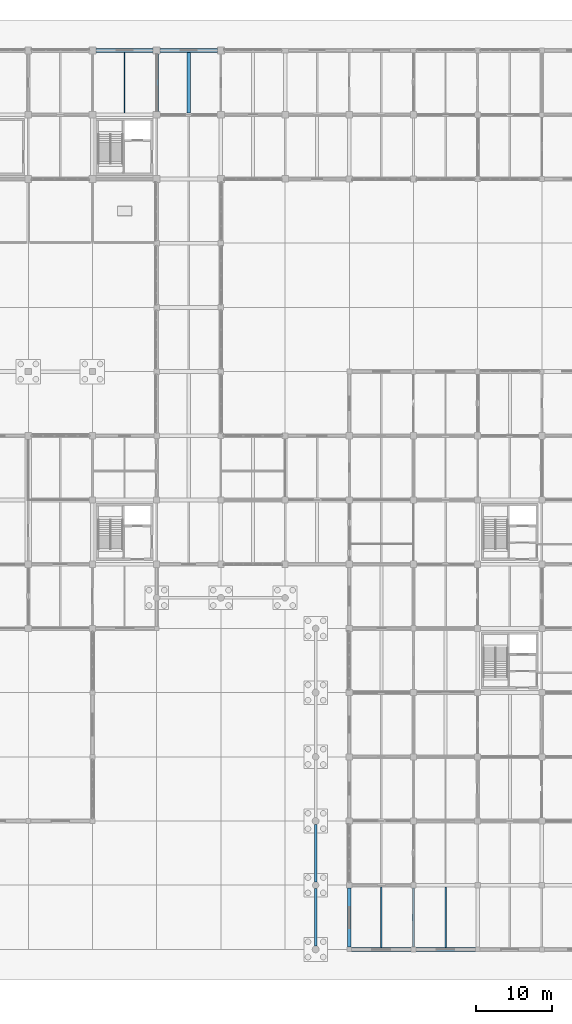
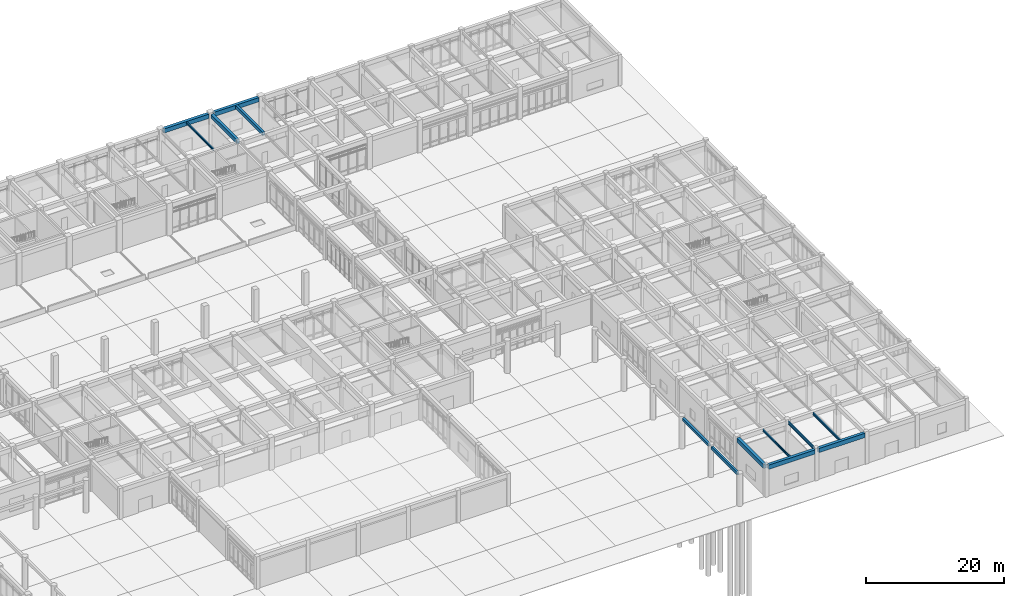
# One storey, part 32 of 91: 13 beams.
"""IFC4 building model written with IfcOpenShell, lengths in metres."""

from ifc_helpers import new_model, si_unit, direction, frame, origin, origin_2d, place, context, subcontext, project, spatial, rectangle, i_section, extrude, material, material_profile, profile_set, type_object, element, save


model = new_model("IFC4")

# Units and contexts
model_context = context("Model", 3, precision=1e-05, world=origin(), true_north=direction((0.0, 1.0)))
body_context = subcontext(model_context, "Body", "Model", "MODEL_VIEW")
ifc_project = project(units=[si_unit("LENGTHUNIT", "METRE"), si_unit("AREAUNIT", "SQUARE_METRE"), si_unit("VOLUMEUNIT", "CUBIC_METRE"), si_unit("PLANEANGLEUNIT", "RADIAN"), si_unit("MASSUNIT", "GRAM", prefix="KILO")], contexts=[model_context])

# Site, building, storey
site_placement = place(None, origin())
site = spatial("IfcSite", under=ifc_project, at=site_placement, CompositionType="ELEMENT")
building_placement = place(site_placement, origin())
building = spatial("IfcBuilding", under=site, at=building_placement, Name="Porcellanite Civic Hall", CompositionType="ELEMENT")
storey_placement = place(building_placement, origin())
storey = spatial("IfcBuildingStorey", under=building, at=storey_placement, Name="L00", CompositionType="ELEMENT", Elevation=0.0)

# Beams
ifc_material_1 = material(Name="Concrete N50 (50 MPa)", Category="concrete")
ifc_material_profile_1 = material_profile(ifc_material_1, rectangle(XDim=0.39990234375, YDim=0.60009765625, at=origin_2d()), Name="RC-400x600")
ifc_profile_set_1 = profile_set([ifc_material_profile_1], Name="Concrete N50 (50 MPa)")
beam_type_1 = type_object("IfcBeamType", Name="BM-RC600", PredefinedType="JOIST", material=ifc_profile_set_1)
beam_1_placement = place(storey_placement, frame((121.800048828125, 109.449462890625, 5.199951171875), z_axis=(0.0, 1.0, 0.0), x_axis=(-1.0, 0.0, 0.0)))
element("IfcBeam", 1, at=beam_1_placement, inside=storey, type_object=beam_type_1, Name="Secondary joist L00 15-14", PredefinedType="JOIST", context=body_context, shape_type="SweptSolid", body=[
    extrude(rectangle(XDim=0.39990234375, YDim=0.60009765625, at=origin_2d()), origin(), (0.0, 0.0, 1.0), 7.901123046875),
])
ifc_material_2 = material(Name="Concrete N50 (50 MPa)", Category="concrete")
ifc_material_profile_2 = material_profile(ifc_material_2, rectangle(XDim=0.449951171875, YDim=0.699951171875, at=origin_2d()), Name="RC-450x700")
ifc_profile_set_2 = profile_set([ifc_material_profile_2], Name="Concrete N50 (50 MPa)")
beam_type_2 = type_object("IfcBeamType", Name="BM-RC700", PredefinedType="BEAM", material=ifc_profile_set_2)
beam_2_placement = place(storey_placement, frame((117.60009765625, 109.6494140625, 5.14990234375), z_axis=(0.0, 1.0, 0.0), x_axis=(-1.0, 0.0, 0.0)))
element("IfcBeam", 2, at=beam_2_placement, inside=storey, type_object=beam_type_2, Name="Beam Y L00 15-14", PredefinedType="BEAM", context=body_context, shape_type="SweptSolid", body=[
    extrude(rectangle(XDim=0.449951171875, YDim=0.699951171875, at=origin_2d()), origin(), (0.0, 0.0, 1.0), 7.5009765625),
])
ifc_material_3 = material(Name="Concrete N50 (50 MPa)", Category="concrete")
ifc_material_profile_3 = material_profile(ifc_material_3, rectangle(XDim=0.5, YDim=0.75, at=origin_2d()), Name="RC-500x750")
ifc_profile_set_3 = profile_set([ifc_material_profile_3], Name="Concrete N50 (50 MPa)")
beam_type_3 = type_object("IfcBeamType", Name="BM-RC750", PredefinedType="SPANDREL", material=ifc_profile_set_3)
for number, where, z_axis, x_axis, name in (
    (3, (109.6494140625, 117.60009765625, 5.125), (1.0, 0.0, 0.0), (0.0, 1.0, 0.0), "Beam X L00 14-15"),
    (4, (118.049560546875, 117.60009765625, 5.125), (1.0, 0.0, 0.0), (0.0, 1.0, 0.0), "Beam X L00 15-15"),
):
    element("IfcBeam", number, at=place(storey_placement, frame(where, z_axis=z_axis, x_axis=x_axis)), inside=storey, type_object=beam_type_3, Name=name, PredefinedType="SPANDREL", context=body_context, shape_type="SweptSolid", body=[
        extrude(rectangle(XDim=0.5, YDim=0.75, at=origin_2d()), origin(), (0.0, 0.0, 1.0), 7.5009765625),
    ])
beam_3_placement = place(storey_placement, frame((143.099609375, 0.0, 5.125), z_axis=(1.0, 0.0, 0.0), x_axis=(0.0, 1.0, 0.0)))
element("IfcBeam", 5, at=beam_3_placement, inside=storey, type_object=beam_type_3, Name="Beam X L00 18-1", PredefinedType="SPANDREL", context=body_context, shape_type="SweptSolid", body=[
    extrude(rectangle(XDim=0.5, YDim=0.75, at=origin_2d()), origin(), (0.0, 0.0, 1.0), 7.77587890625),
])
beam_4_placement = place(storey_placement, frame((151.5244140625, 0.0, 5.125), z_axis=(1.0, 0.0, 0.0), x_axis=(0.0, 1.0, 0.0)))
element("IfcBeam", 6, at=beam_4_placement, inside=storey, type_object=beam_type_3, Name="Beam X L00 19-1", PredefinedType="SPANDREL", context=body_context, shape_type="SweptSolid", body=[
    extrude(rectangle(XDim=0.5, YDim=0.75, at=origin_2d()), origin(), (0.0, 0.0, 1.0), 7.776123046875),
])
beam_5_placement = place(storey_placement, frame((142.800048828125, 0.299560546875, 5.125), z_axis=(0.0, 1.0, 0.0), x_axis=(-1.0, 0.0, 0.0)))
element("IfcBeam", 7, at=beam_5_placement, inside=storey, type_object=beam_type_3, Name="Beam Y L00 18-1", PredefinedType="SPANDREL", context=body_context, shape_type="SweptSolid", body=[
    extrude(rectangle(XDim=0.5, YDim=0.75, at=origin_2d()), origin(), (0.0, 0.0, 1.0), 7.725830078125),
])
ifc_material_4 = material(Name="Steel Grade 350", Category="steel")
ifc_material_profile_4 = material_profile(ifc_material_4, i_section(OverallWidth=0.1708984375, OverallDepth=0.35595703125, WebThickness=0.00732421875, FlangeThickness=0.011474609375, FilletRadius=0.011474609375, at=origin_2d()), Name="360UB50.7")
ifc_profile_set_4 = profile_set([ifc_material_profile_4], Name="Steel Grade 350")
beam_type_4 = type_object("IfcBeamType", Name="JST-360UB51", PredefinedType="JOIST", material=ifc_profile_set_4)
beam_6_placement = place(storey_placement, frame((113.39990234375, 109.449462890625, 5.322021484375), z_axis=(0.0, 1.0, 0.0), x_axis=(-1.0, 0.0, 0.0)))
element("IfcBeam", 8, at=beam_6_placement, inside=storey, type_object=beam_type_4, Name="Secondary joist L00 14-14", PredefinedType="JOIST", context=body_context, shape_type="SweptSolid", body=[
    extrude(i_section(OverallWidth=0.1708984375, OverallDepth=0.35595703125, WebThickness=0.00732421875, FlangeThickness=0.011474609375, FilletRadius=0.011474609375, at=origin_2d()), origin(), (0.0, 0.0, 1.0), 7.901123046875),
])
ifc_material_5 = material(Name="Steel Grade 350", Category="steel")
ifc_material_profile_5 = material_profile(ifc_material_5, i_section(OverallWidth=0.177978515625, OverallDepth=0.403076171875, WebThickness=0.007568359375, FlangeThickness=0.010986328125, FilletRadius=0.011474609375, at=origin_2d()), Name="410UB53.7")
ifc_profile_set_5 = profile_set([ifc_material_profile_5], Name="Steel Grade 350")
beam_type_5 = type_object("IfcBeamType", Name="JST-410UB54", PredefinedType="JOIST", material=ifc_profile_set_5)
beam_7_placement = place(storey_placement, frame((155.39990234375, 0.24951171875, 5.298583984375), z_axis=(0.0, 1.0, 0.0), x_axis=(-1.0, 0.0, 0.0)))
element("IfcBeam", 9, at=beam_7_placement, inside=storey, type_object=beam_type_5, Name="Secondary joist L00 19-1", PredefinedType="JOIST", context=body_context, shape_type="SweptSolid", body=[
    extrude(i_section(OverallWidth=0.177978515625, OverallDepth=0.403076171875, WebThickness=0.007568359375, FlangeThickness=0.010986328125, FilletRadius=0.011474609375, at=origin_2d()), origin(), (0.0, 0.0, 1.0), 7.90087890625),
])
ifc_material_6 = material(Name="Steel Grade 350", Category="steel")
ifc_material_profile_6 = material_profile(ifc_material_6, i_section(OverallWidth=0.177978515625, OverallDepth=0.406005859375, WebThickness=0.0078125, FlangeThickness=0.0126953125, FilletRadius=0.011474609375, at=origin_2d()), Name="410UB59.7")
ifc_profile_set_6 = profile_set([ifc_material_profile_6], Name="Steel Grade 350")
beam_type_6 = type_object("IfcBeamType", Name="JST-410UB60", PredefinedType="JOIST", material=ifc_profile_set_6)
beam_8_placement = place(storey_placement, frame((147.0, 0.24951171875, 5.297119140625), z_axis=(0.0, 1.0, 0.0), x_axis=(-1.0, 0.0, 0.0)))
element("IfcBeam", 10, at=beam_8_placement, inside=storey, type_object=beam_type_6, Name="Secondary joist L00 18-1", PredefinedType="JOIST", context=body_context, shape_type="SweptSolid", body=[
    extrude(i_section(OverallWidth=0.177978515625, OverallDepth=0.406005859375, WebThickness=0.0078125, FlangeThickness=0.0126953125, FilletRadius=0.011474609375, at=origin_2d()), origin(), (0.0, 0.0, 1.0), 7.90087890625),
])
ifc_material_7 = material(Name="Concrete N50 (50 MPa)", Category="concrete")
ifc_material_profile_7 = material_profile(ifc_material_7, rectangle(XDim=0.35009765625, YDim=0.5, at=origin_2d()), Name="RC-350x500")
ifc_profile_set_7 = profile_set([ifc_material_profile_7], Name="Concrete N50 (50 MPa)")
beam_type_7 = type_object("IfcBeamType", Name="LN-RC500", PredefinedType="LINTEL", material=ifc_profile_set_7)
for number, where, z_axis, x_axis, name in (
    (11, (138.39990234375, 0.449462890625, 5.260009765625), (0.0, 1.0, 0.0), (-1.0, 0.0, 0.0), "Colonnade keystone beam L00 COL-E-P01"),
    (12, (138.39990234375, 8.824462890625, 5.260009765625), (0.0, 1.0, 0.0), (-1.0, 0.0, 0.0), "Colonnade keystone beam L00 COL-E-P02"),
):
    element("IfcBeam", number, at=place(storey_placement, frame(where, z_axis=z_axis, x_axis=x_axis)), inside=storey, type_object=beam_type_7, Name=name, PredefinedType="LINTEL", context=body_context, shape_type="SweptSolid", body=[
        extrude(rectangle(XDim=0.35009765625, YDim=0.5, at=origin_2d()), origin(), (0.0, 0.0, 1.0), 7.526123046875),
    ])
ifc_material_8 = material(Name="Steel Grade 350", Category="steel")
ifc_material_profile_8 = material_profile(ifc_material_8, i_section(OverallWidth=0.208984375, OverallDepth=0.528076171875, WebThickness=0.009521484375, FlangeThickness=0.01318359375, FilletRadius=0.013916015625, at=origin_2d()), Name="530UB82.0")
ifc_profile_set_8 = profile_set([ifc_material_profile_8], Name="Steel Grade 350")
beam_type_8 = type_object("IfcBeamType", Name="RAF-530UB82", PredefinedType="BEAM", material=ifc_profile_set_8)
beam_9_placement = place(storey_placement, frame((151.199951171875, 0.324462890625, 5.236083984375), z_axis=(0.0, 1.0, 0.0), x_axis=(-1.0, 0.0, 0.0)))
element("IfcBeam", 13, at=beam_9_placement, inside=storey, type_object=beam_type_8, Name="Beam Y L00 19-1", PredefinedType="BEAM", context=body_context, shape_type="SweptSolid", body=[
    extrude(i_section(OverallWidth=0.208984375, OverallDepth=0.528076171875, WebThickness=0.009521484375, FlangeThickness=0.01318359375, FilletRadius=0.013916015625, at=origin_2d()), origin(), (0.0, 0.0, 1.0), 7.72607421875),
])

save(model, "model.ifc")
